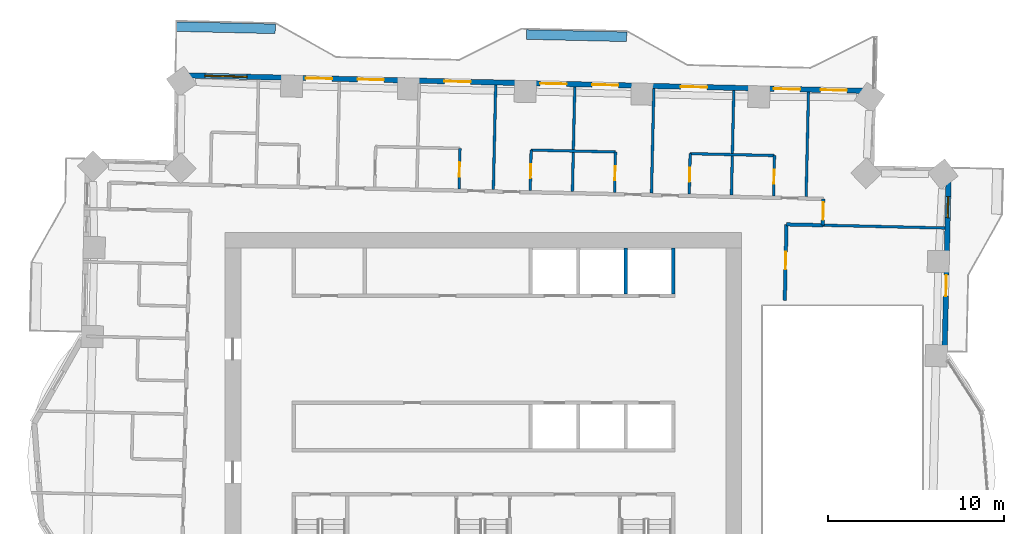
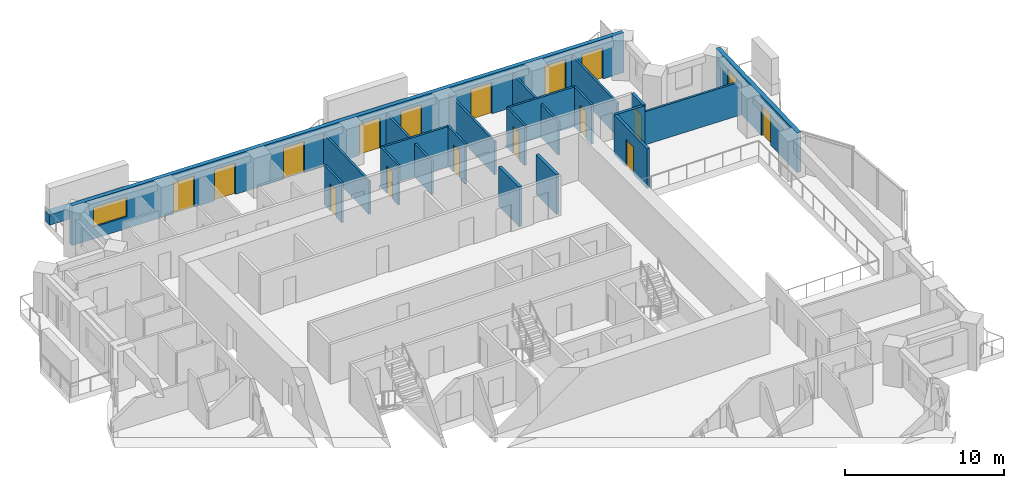
# One storey, part 9 of 14: 22 walls, 16 doors, 2 windows, 18 openings.
"""IFC4 building model written with IfcOpenShell, lengths in metres."""

from ifc_helpers import new_model, si_unit, direction, frame, frame_2d, origin, place, context, subcontext, project, spatial, rectangle, extrude, material, layer, layer_set, type_object, element, fill, save


model = new_model("IFC4")

# Units and contexts
model_context = context("Model", 3, precision=1e-05, world=origin(), true_north=direction((0.0, 1.0)))
body_context = subcontext(model_context, "Body", "Model", "MODEL_VIEW")
ifc_project = project(units=[si_unit("LENGTHUNIT", "METRE"), si_unit("AREAUNIT", "SQUARE_METRE"), si_unit("VOLUMEUNIT", "CUBIC_METRE"), si_unit("PLANEANGLEUNIT", "RADIAN"), si_unit("MASSUNIT", "GRAM", prefix="KILO")], contexts=[model_context])

# Site, building, storey
site_placement = place(None, origin())
site = spatial("IfcSite", under=ifc_project, at=site_placement, CompositionType="ELEMENT")
building_placement = place(site_placement, origin())
building = spatial("IfcBuilding", under=site, at=building_placement, Name="Mangrove Gate Tower", CompositionType="ELEMENT")
storey_placement = place(building_placement, frame((0.0, 0.0, 167.10009765625)))
storey = spatial("IfcBuildingStorey", under=building, at=storey_placement, Name="L42", CompositionType="ELEMENT", Elevation=167.10009765625)

# Walls
ifc_material_1 = material(Name="Concrete C60/75", Category="concrete")
ifc_layer_1 = layer(ifc_material_1, 0.199951171875)
ifc_layer_set_1 = layer_set([ifc_layer_1], Name="Core shaft wall 200 C60/75")
wall_type_1 = type_object("IfcWallType", Name="Core shaft wall 200 C60/75", PredefinedType="SHEAR", material=ifc_layer_set_1)
for number, where, z_axis, x_axis, name in (
    (1, (8.10009765625, 8.199951171875, 0.0), (0.0, 0.0, 1.0), (0.0, 1.0, 0.0), "WALL-L42-CORE-28"),
    (2, (10.800048828125, 8.199951171875, 0.0), (0.0, 0.0, 1.0), (0.0, 1.0, 0.0), "WALL-L42-CORE-29"),
):
    element("IfcWall", number, at=place(storey_placement, frame(where, z_axis=z_axis, x_axis=x_axis)), inside=storey, type_object=wall_type_1, Name=name, PredefinedType="SHEAR", context=body_context, shape_type="SweptSolid", body=[
        extrude(rectangle(XDim=2.60009765625, YDim=0.199951171875, at=frame_2d((1.300048828125, 0.0))), origin(), (0.0, 0.0, 1.0), 3.0498046875),
    ])

# Wall, opening, door
ifc_material_2 = material(Name="Gypsum board on steel stud, EI 60", Category="steel")
ifc_layer_2 = layer(ifc_material_2, 0.199951171875)
ifc_layer_set_2 = layer_set([ifc_layer_2], Name="Corridor wall EI 60")
wall_type_2 = type_object("IfcWallType", Name="Corridor wall EI 60", PredefinedType="PARTITIONING", material=ifc_layer_set_2)
wall_1_placement = place(storey_placement, frame((17.14892578125, 7.83203125, 0.0), z_axis=(0.0, 0.0, 1.0), x_axis=(0.022729111383, 0.999741660378, 0.0)))
wall_1 = element("IfcWall", 3, at=wall_1_placement, inside=storey, type_object=wall_type_2, Name="WALL-L42-049", PredefinedType="PARTITIONING", context=body_context, shape_type="SweptSolid", body=[
    extrude(rectangle(XDim=4.318115234375, YDim=0.199951171875, at=frame_2d((2.1591796875, 0.0))), origin(), (0.0, 0.0, 1.0), 3.0498046875),
])
opening_1_placement = place(wall_1_placement, frame((1.760986328125, 0.0, 0.0)))
opening_1 = element("IfcOpeningElement", 4, at=opening_1_placement, cuts=wall_1, Name="Opening AD", PredefinedType="OPENING", context=body_context, shape_type="SweptSolid", body=[
    extrude(rectangle(XDim=1.0, YDim=2.10009765625, at=frame_2d((0.5, 1.050048828125))), frame((0.0, 0.10986328125, 0.0), z_axis=(0.0, -1.0, 0.0), x_axis=(1.0, 0.0, 0.0)), (0.0, 0.0, 1.0), 0.219970703125),
])
ifc_material_3 = material(Name="Timber door leaf", Category="wood")
door_type_1 = type_object("IfcDoorType", Name="Amenity door 1000", OperationType="SINGLE_SWING_LEFT", PredefinedType="DOOR", material=ifc_material_3)
door_1_placement = place(opening_1_placement, origin())
door_1 = element("IfcDoor", 5, at=door_1_placement, inside=storey, type_object=door_type_1, Name="DOOR-L42-KIT-c3b", OperationType="SINGLE_SWING_LEFT", OverallHeight=2.10009765625, OverallWidth=1.0, PredefinedType="DOOR", context=body_context, shape_type="SweptSolid", body=[
    extrude(rectangle(XDim=1.0, YDim=2.10009765625, at=frame_2d((0.5, 1.050048828125))), frame((0.0, 0.02490234375, 0.0), z_axis=(0.0, -1.0, 0.0), x_axis=(1.0, 0.0, 0.0)), (0.0, 0.0, 1.0), 0.050048828125),
])
fill(opening_1, door_1)

# Wall
wall_2_placement = place(storey_placement, frame((17.248046875, 12.14892578125, 0.0), z_axis=(0.0, 0.0, 1.0), x_axis=(0.999742931749, -0.02267312106, 0.0)))
element("IfcWall", 6, at=wall_2_placement, inside=storey, type_object=wall_type_2, Name="WALL-L42-054", PredefinedType="PARTITIONING", context=body_context, shape_type="SweptSolid", body=[
    extrude(rectangle(XDim=2.0673828125, YDim=0.199951171875, at=frame_2d((1.03369140625, 0.0))), origin(), (0.0, 0.0, 1.0), 3.0498046875),
])

# Wall, opening, door
wall_3_placement = place(storey_placement, frame((19.31689453125, 12.10205078125, 0.0), z_axis=(0.0, 0.0, 1.0), x_axis=(0.02279537805, 0.999740151609, 0.0)))
wall_3 = element("IfcWall", 7, at=wall_3_placement, inside=storey, type_object=wall_type_2, Name="WALL-L42-056", PredefinedType="PARTITIONING", context=body_context, shape_type="SweptSolid", body=[
    extrude(rectangle(XDim=1.49951171875, YDim=0.199951171875, at=frame_2d((0.749755859375, 0.0))), origin(), (0.0, 0.0, 1.0), 3.0498046875),
])
opening_2_placement = place(wall_3_placement, frame((0.300048828125, 0.0, 0.0)))
opening_2 = element("IfcOpeningElement", 8, at=opening_2_placement, cuts=wall_3, Name="Opening AD", PredefinedType="OPENING", context=body_context, shape_type="SweptSolid", body=[
    extrude(rectangle(XDim=1.0, YDim=2.10009765625, at=frame_2d((0.5, 1.050048828125))), frame((0.0, 0.10986328125, 0.0), z_axis=(0.0, -1.0, 0.0), x_axis=(1.0, 0.0, 0.0)), (0.0, 0.0, 1.0), 0.219970703125),
])
door_2_placement = place(opening_2_placement, origin())
door_2 = element("IfcDoor", 9, at=door_2_placement, inside=storey, type_object=door_type_1, Name="DOOR-L42-KIT-c3c", OperationType="SINGLE_SWING_RIGHT", OverallHeight=2.10009765625, OverallWidth=1.0, PredefinedType="DOOR", context=body_context, shape_type="SweptSolid", body=[
    extrude(rectangle(XDim=1.0, YDim=2.10009765625, at=frame_2d((0.5, 1.050048828125))), frame((0.0, 0.02490234375, 0.0), z_axis=(0.0, -1.0, 0.0), x_axis=(1.0, 0.0, 0.0)), (0.0, 0.0, 1.0), 0.050048828125),
])
fill(opening_2, door_2)

# Wall, openings, door, window
ifc_material_4 = material(Name="Limestone", Category="masonry")
ifc_layer_3 = layer(ifc_material_4, 0.0400390625, Name="Limestone cladding")
ifc_material_5 = material(Name="Ventilated air gap")
ifc_layer_4 = layer(ifc_material_5, 0.0400390625, Name="Ventilated cavity")
ifc_material_6 = material(Name="Mineral wool insulation")
ifc_layer_5 = layer(ifc_material_6, 0.06005859375, Name="Insulation")
ifc_material_7 = material(Name="Breather membrane")
ifc_layer_6 = layer(ifc_material_7, 0.001953125, Name="Breather membrane")
ifc_material_8 = material(Name="Concrete C20/25 blockwork", Category="masonry")
ifc_layer_7 = layer(ifc_material_8, 0.14990234375, Name="Blockwork backing wall")
ifc_material_9 = material(Name="Gypsum plaster")
ifc_layer_8 = layer(ifc_material_9, 0.008056640625, Name="Internal plaster")
ifc_layer_set_3 = layer_set([ifc_layer_3, ifc_layer_4, ifc_layer_5, ifc_layer_6, ifc_layer_7, ifc_layer_8], Name="External wall 300 limestone cladding")
wall_type_3 = type_object("IfcWallType", Name="External wall 300 limestone cladding", PredefinedType="SOLIDWALL", material=ifc_layer_set_3)
wall_4_placement = place(storey_placement, frame((26.238037109375, 4.613037109375, 0.0), z_axis=(0.0, 0.0, 1.0), x_axis=(0.022761056451, 0.999740933597, 0.0)))
wall_4 = element("IfcWall", 10, at=wall_4_placement, inside=storey, type_object=wall_type_3, Name="WALL-L42-E2", PredefinedType="SOLIDWALL", context=body_context, shape_type="SweptSolid", body=[
    extrude(rectangle(XDim=10.629638671875, YDim=0.300048828125, at=frame_2d((5.31494140625, 0.0))), origin(), (0.0, 0.0, 1.0), 3.0498046875),
])
opening_3_placement = place(wall_4_placement, frame((3.452880859375, 0.0, 0.0)))
opening_3 = element("IfcOpeningElement", 11, at=opening_3_placement, cuts=wall_4, Name="Opening BD2", PredefinedType="OPENING", context=body_context, shape_type="SweptSolid", body=[
    extrude(rectangle(XDim=1.199951171875, YDim=2.39990234375, at=frame_2d((0.60009765625, 1.199951171875))), frame((0.0, 0.159912109375, 0.0), z_axis=(0.0, -1.0, 0.0), x_axis=(1.0, 0.0, 0.0)), (0.0, 0.0, 1.0), 0.320068359375),
])
opening_4_placement = place(wall_4_placement, frame((7.916015625, 0.0, 0.89990234375)))
opening_4 = element("IfcOpeningElement", 12, at=opening_4_placement, cuts=wall_4, Name="Opening W1", PredefinedType="OPENING", context=body_context, shape_type="SweptSolid", body=[
    extrude(rectangle(XDim=1.199951171875, YDim=1.5, at=frame_2d((0.60009765625, 0.75))), frame((0.0, 0.159912109375, 0.0), z_axis=(0.0, -1.0, 0.0), x_axis=(1.0, 0.0, 0.0)), (0.0, 0.0, 1.0), 0.320068359375),
])
ifc_material_10 = material(Name="Aluminium frame with laminated clear glass", Category="aluminium")
door_type_2 = type_object("IfcDoorType", Name="Balcony sliding door 1200x2400", OperationType="SLIDING_TO_LEFT", PredefinedType="DOOR", material=ifc_material_10)
door_3_placement = place(opening_3_placement, origin())
door_3 = element("IfcDoor", 13, at=door_3_placement, inside=storey, type_object=door_type_2, Name="DOOR-L42-E2-1", OperationType="SLIDING_TO_LEFT", OverallHeight=2.39990234375, OverallWidth=1.199951171875, PredefinedType="DOOR", context=body_context, shape_type="SweptSolid", body=[
    extrude(rectangle(XDim=1.199951171875, YDim=2.39990234375, at=frame_2d((0.60009765625, 1.199951171875))), frame((0.0, 0.02490234375, 0.0), z_axis=(0.0, -1.0, 0.0), x_axis=(1.0, 0.0, 0.0)), (0.0, 0.0, 1.0), 0.050048828125),
])
fill(opening_3, door_3)
ifc_material_11 = material(Name="Aluminium frame with double-glazed low-e glass", Category="aluminium")
window_type_1 = type_object("IfcWindowType", Name="Side lite 1200x1500", PartitioningType="SINGLE_PANEL", PredefinedType="WINDOW", material=ifc_material_11)
window_1_placement = place(opening_4_placement, origin())
window_1 = element("IfcWindow", 14, at=window_1_placement, inside=storey, type_object=window_type_1, Name="WIN-L42-E2-2", OverallHeight=1.5, OverallWidth=1.199951171875, PartitioningType="SINGLE_PANEL", PredefinedType="WINDOW", context=body_context, shape_type="SweptSolid", body=[
    extrude(rectangle(XDim=1.199951171875, YDim=1.5, at=frame_2d((0.60009765625, 0.75))), frame((0.0, 0.030029296875, 0.0), z_axis=(0.0, -1.0, 0.0), x_axis=(1.0, 0.0, 0.0)), (0.0, 0.0, 1.0), 0.06005859375),
])
fill(opening_4, window_1)

# Wall, openings, doors, window
wall_5_placement = place(storey_placement, frame((22.180908203125, 19.739013671875, 0.0), z_axis=(0.0, 0.0, 1.0), x_axis=(-0.999742618326, 0.022686936846, 0.0)))
wall_5 = element("IfcWall", 15, at=wall_5_placement, inside=storey, type_object=wall_type_3, Name="WALL-L42-N5", PredefinedType="SOLIDWALL", context=body_context, shape_type="SweptSolid", body=[
    extrude(rectangle(XDim=39.580078125, YDim=0.300048828125, at=frame_2d((19.7900390625, 0.0))), origin(), (0.0, 0.0, 1.0), 3.0498046875),
])
opening_5_placement = place(wall_5_placement, frame((1.4951171875, 0.0, 0.0)))
opening_5 = element("IfcOpeningElement", 16, at=opening_5_placement, cuts=wall_5, Name="Opening BD1", PredefinedType="OPENING", context=body_context, shape_type="SweptSolid", body=[
    extrude(rectangle(XDim=1.5, YDim=2.39990234375, at=frame_2d((0.75, 1.199951171875))), frame((0.0, 0.159912109375, 0.0), z_axis=(0.0, -1.0, 0.0), x_axis=(1.0, 0.0, 0.0)), (0.0, 0.0, 1.0), 0.320068359375),
])
opening_6_placement = place(wall_5_placement, frame((4.15087890625, 0.0, 0.0)))
opening_6 = element("IfcOpeningElement", 17, at=opening_6_placement, cuts=wall_5, Name="Opening BD1", PredefinedType="OPENING", context=body_context, shape_type="SweptSolid", body=[
    extrude(rectangle(XDim=1.5, YDim=2.39990234375, at=frame_2d((0.75, 1.199951171875))), frame((0.0, 0.159912109375, 0.0), z_axis=(0.0, -1.0, 0.0), x_axis=(1.0, 0.0, 0.0)), (0.0, 0.0, 1.0), 0.320068359375),
])
opening_7_placement = place(wall_5_placement, frame((9.455078125, 0.0, 0.0)))
opening_7 = element("IfcOpeningElement", 18, at=opening_7_placement, cuts=wall_5, Name="Opening BD1", PredefinedType="OPENING", context=body_context, shape_type="SweptSolid", body=[
    extrude(rectangle(XDim=1.5, YDim=2.39990234375, at=frame_2d((0.75, 1.199951171875))), frame((0.0, 0.159912109375, 0.0), z_axis=(0.0, -1.0, 0.0), x_axis=(1.0, 0.0, 0.0)), (0.0, 0.0, 1.0), 0.320068359375),
])
opening_8_placement = place(wall_5_placement, frame((14.4990234375, 0.0, 0.0)))
opening_8 = element("IfcOpeningElement", 19, at=opening_8_placement, cuts=wall_5, Name="Opening BD1", PredefinedType="OPENING", context=body_context, shape_type="SweptSolid", body=[
    extrude(rectangle(XDim=1.5, YDim=2.39990234375, at=frame_2d((0.75, 1.199951171875))), frame((0.0, 0.159912109375, 0.0), z_axis=(0.0, -1.0, 0.0), x_axis=(1.0, 0.0, 0.0)), (0.0, 0.0, 1.0), 0.320068359375),
])
opening_9_placement = place(wall_5_placement, frame((17.447998046875, 0.0, 0.0)))
opening_9 = element("IfcOpeningElement", 20, at=opening_9_placement, cuts=wall_5, Name="Opening BD1", PredefinedType="OPENING", context=body_context, shape_type="SweptSolid", body=[
    extrude(rectangle(XDim=1.5, YDim=2.39990234375, at=frame_2d((0.75, 1.199951171875))), frame((0.0, 0.159912109375, 0.0), z_axis=(0.0, -1.0, 0.0), x_axis=(1.0, 0.0, 0.0)), (0.0, 0.0, 1.0), 0.320068359375),
])
opening_10_placement = place(wall_5_placement, frame((22.905029296875, 0.0, 0.0)))
opening_10 = element("IfcOpeningElement", 21, at=opening_10_placement, cuts=wall_5, Name="Opening BD1", PredefinedType="OPENING", context=body_context, shape_type="SweptSolid", body=[
    extrude(rectangle(XDim=1.5, YDim=2.39990234375, at=frame_2d((0.75, 1.199951171875))), frame((0.0, 0.159912109375, 0.0), z_axis=(0.0, -1.0, 0.0), x_axis=(1.0, 0.0, 0.0)), (0.0, 0.0, 1.0), 0.320068359375),
])
opening_11_placement = place(wall_5_placement, frame((27.845947265625, 0.0, 0.0)))
opening_11 = element("IfcOpeningElement", 22, at=opening_11_placement, cuts=wall_5, Name="Opening BD1", PredefinedType="OPENING", context=body_context, shape_type="SweptSolid", body=[
    extrude(rectangle(XDim=1.5, YDim=2.39990234375, at=frame_2d((0.75, 1.199951171875))), frame((0.0, 0.159912109375, 0.0), z_axis=(0.0, -1.0, 0.0), x_axis=(1.0, 0.0, 0.0)), (0.0, 0.0, 1.0), 0.320068359375),
])
opening_12_placement = place(wall_5_placement, frame((30.7939453125, 0.0, 0.0)))
opening_12 = element("IfcOpeningElement", 23, at=opening_12_placement, cuts=wall_5, Name="Opening BD1", PredefinedType="OPENING", context=body_context, shape_type="SweptSolid", body=[
    extrude(rectangle(XDim=1.5, YDim=2.39990234375, at=frame_2d((0.75, 1.199951171875))), frame((0.0, 0.159912109375, 0.0), z_axis=(0.0, -1.0, 0.0), x_axis=(1.0, 0.0, 0.0)), (0.0, 0.0, 1.0), 0.320068359375),
])
opening_13_placement = place(wall_5_placement, frame((35.6298828125, 0.0, 0.89990234375)))
opening_13 = element("IfcOpeningElement", 24, at=opening_13_placement, cuts=wall_5, Name="Opening W2", PredefinedType="OPENING", context=body_context, shape_type="SweptSolid", body=[
    extrude(rectangle(XDim=2.39990234375, YDim=1.5, at=frame_2d((1.199951171875, 0.75))), frame((0.0, 0.159912109375, 0.0), z_axis=(0.0, -1.0, 0.0), x_axis=(1.0, 0.0, 0.0)), (0.0, 0.0, 1.0), 0.320068359375),
])
ifc_material_12 = material(Name="Aluminium frame with laminated clear glass", Category="aluminium")
door_type_3 = type_object("IfcDoorType", Name="Balcony sliding door 1500x2400", OperationType="SLIDING_TO_LEFT", PredefinedType="DOOR", material=ifc_material_12)
door_4_placement = place(opening_5_placement, origin())
door_4 = element("IfcDoor", 25, at=door_4_placement, inside=storey, type_object=door_type_3, Name="DOOR-L42-N5-1", OperationType="SLIDING_TO_LEFT", OverallHeight=2.39990234375, OverallWidth=1.5, PredefinedType="DOOR", context=body_context, shape_type="SweptSolid", body=[
    extrude(rectangle(XDim=1.5, YDim=2.39990234375, at=frame_2d((0.75, 1.199951171875))), frame((0.0, 0.02490234375, 0.0), z_axis=(0.0, -1.0, 0.0), x_axis=(1.0, 0.0, 0.0)), (0.0, 0.0, 1.0), 0.050048828125),
])
fill(opening_5, door_4)
door_5_placement = place(opening_6_placement, origin())
door_5 = element("IfcDoor", 26, at=door_5_placement, inside=storey, type_object=door_type_3, Name="DOOR-L42-N5-2", OperationType="SLIDING_TO_LEFT", OverallHeight=2.39990234375, OverallWidth=1.5, PredefinedType="DOOR", context=body_context, shape_type="SweptSolid", body=[
    extrude(rectangle(XDim=1.5, YDim=2.39990234375, at=frame_2d((0.75, 1.199951171875))), frame((0.0, 0.02490234375, 0.0), z_axis=(0.0, -1.0, 0.0), x_axis=(1.0, 0.0, 0.0)), (0.0, 0.0, 1.0), 0.050048828125),
])
fill(opening_6, door_5)
door_6_placement = place(opening_7_placement, origin())
door_6 = element("IfcDoor", 27, at=door_6_placement, inside=storey, type_object=door_type_3, Name="DOOR-L42-N5-3", OperationType="SLIDING_TO_LEFT", OverallHeight=2.39990234375, OverallWidth=1.5, PredefinedType="DOOR", context=body_context, shape_type="SweptSolid", body=[
    extrude(rectangle(XDim=1.5, YDim=2.39990234375, at=frame_2d((0.75, 1.199951171875))), frame((0.0, 0.02490234375, 0.0), z_axis=(0.0, -1.0, 0.0), x_axis=(1.0, 0.0, 0.0)), (0.0, 0.0, 1.0), 0.050048828125),
])
fill(opening_7, door_6)
door_7_placement = place(opening_8_placement, origin())
door_7 = element("IfcDoor", 28, at=door_7_placement, inside=storey, type_object=door_type_3, Name="DOOR-L42-N5-4", OperationType="SLIDING_TO_LEFT", OverallHeight=2.39990234375, OverallWidth=1.5, PredefinedType="DOOR", context=body_context, shape_type="SweptSolid", body=[
    extrude(rectangle(XDim=1.5, YDim=2.39990234375, at=frame_2d((0.75, 1.199951171875))), frame((0.0, 0.02490234375, 0.0), z_axis=(0.0, -1.0, 0.0), x_axis=(1.0, 0.0, 0.0)), (0.0, 0.0, 1.0), 0.050048828125),
])
fill(opening_8, door_7)
door_8_placement = place(opening_9_placement, origin())
door_8 = element("IfcDoor", 29, at=door_8_placement, inside=storey, type_object=door_type_3, Name="DOOR-L42-N5-5", OperationType="SLIDING_TO_LEFT", OverallHeight=2.39990234375, OverallWidth=1.5, PredefinedType="DOOR", context=body_context, shape_type="SweptSolid", body=[
    extrude(rectangle(XDim=1.5, YDim=2.39990234375, at=frame_2d((0.75, 1.199951171875))), frame((0.0, 0.02490234375, 0.0), z_axis=(0.0, -1.0, 0.0), x_axis=(1.0, 0.0, 0.0)), (0.0, 0.0, 1.0), 0.050048828125),
])
fill(opening_9, door_8)
door_9_placement = place(opening_10_placement, origin())
door_9 = element("IfcDoor", 30, at=door_9_placement, inside=storey, type_object=door_type_3, Name="DOOR-L42-N5-6", OperationType="SLIDING_TO_LEFT", OverallHeight=2.39990234375, OverallWidth=1.5, PredefinedType="DOOR", context=body_context, shape_type="SweptSolid", body=[
    extrude(rectangle(XDim=1.5, YDim=2.39990234375, at=frame_2d((0.75, 1.199951171875))), frame((0.0, 0.02490234375, 0.0), z_axis=(0.0, -1.0, 0.0), x_axis=(1.0, 0.0, 0.0)), (0.0, 0.0, 1.0), 0.050048828125),
])
fill(opening_10, door_9)
door_10_placement = place(opening_11_placement, origin())
door_10 = element("IfcDoor", 31, at=door_10_placement, inside=storey, type_object=door_type_3, Name="DOOR-L42-N5-7", OperationType="SLIDING_TO_LEFT", OverallHeight=2.39990234375, OverallWidth=1.5, PredefinedType="DOOR", context=body_context, shape_type="SweptSolid", body=[
    extrude(rectangle(XDim=1.5, YDim=2.39990234375, at=frame_2d((0.75, 1.199951171875))), frame((0.0, 0.02490234375, 0.0), z_axis=(0.0, -1.0, 0.0), x_axis=(1.0, 0.0, 0.0)), (0.0, 0.0, 1.0), 0.050048828125),
])
fill(opening_11, door_10)
door_11_placement = place(opening_12_placement, origin())
door_11 = element("IfcDoor", 32, at=door_11_placement, inside=storey, type_object=door_type_3, Name="DOOR-L42-N5-8", OperationType="SLIDING_TO_LEFT", OverallHeight=2.39990234375, OverallWidth=1.5, PredefinedType="DOOR", context=body_context, shape_type="SweptSolid", body=[
    extrude(rectangle(XDim=1.5, YDim=2.39990234375, at=frame_2d((0.75, 1.199951171875))), frame((0.0, 0.02490234375, 0.0), z_axis=(0.0, -1.0, 0.0), x_axis=(1.0, 0.0, 0.0)), (0.0, 0.0, 1.0), 0.050048828125),
])
fill(opening_12, door_11)
ifc_material_13 = material(Name="Aluminium frame with double-glazed low-e glass", Category="aluminium")
window_type_2 = type_object("IfcWindowType", Name="Corner room window 2400x1500", PartitioningType="DOUBLE_PANEL_VERTICAL", PredefinedType="WINDOW", material=ifc_material_13)
window_2_placement = place(opening_13_placement, origin())
window_2 = element("IfcWindow", 33, at=window_2_placement, inside=storey, type_object=window_type_2, Name="WIN-L42-N5-9", OverallHeight=1.5, OverallWidth=2.39990234375, PartitioningType="DOUBLE_PANEL_VERTICAL", PredefinedType="WINDOW", context=body_context, shape_type="SweptSolid", body=[
    extrude(rectangle(XDim=2.39990234375, YDim=1.5, at=frame_2d((1.199951171875, 0.75))), frame((0.0, 0.030029296875, 0.0), z_axis=(0.0, -1.0, 0.0), x_axis=(1.0, 0.0, 0.0)), (0.0, 0.0, 1.0), 0.06005859375),
])
fill(opening_13, window_2)

# Wall
ifc_material_14 = material(Name="Gypsum board on steel stud, EI 60", Category="steel")
ifc_layer_9 = layer(ifc_material_14, 0.14990234375)
ifc_layer_set_4 = layer_set([ifc_layer_9], Name="Party wall 150 EI 60")
wall_type_4 = type_object("IfcWallType", Name="Party wall 150 EI 60", PredefinedType="PARTITIONING", material=ifc_layer_set_4)
wall_6_placement = place(storey_placement, frame((19.31494140625, 12.10205078125, 0.0), z_axis=(0.0, 0.0, 1.0), x_axis=(0.999741072391, -0.022754959327, 0.0)))
element("IfcWall", 34, at=wall_6_placement, inside=storey, type_object=wall_type_4, Name="WALL-L42-055", PredefinedType="PARTITIONING", context=body_context, shape_type="SweptSolid", body=[
    extrude(rectangle(XDim=6.941650390625, YDim=0.14990234375, at=frame_2d((3.470703125, 0.0))), origin(), (0.0, 0.0, 1.0), 2.5498046875),
])

# Wall, opening, door
wall_7_placement = place(storey_placement, frame((-1.382080078125, 14.172119140625, 0.0), z_axis=(0.0, 0.0, 1.0), x_axis=(0.022615284993, 0.999744241736, 0.0)))
wall_7 = element("IfcWall", 35, at=wall_7_placement, inside=storey, type_object=wall_type_4, Name="WALL-L42-064", PredefinedType="PARTITIONING", context=body_context, shape_type="SweptSolid", body=[
    extrude(rectangle(XDim=2.29931640625, YDim=0.14990234375, at=frame_2d((1.149658203125, 0.0))), origin(), (0.0, 0.0, 1.0), 3.0498046875),
])
opening_14_placement = place(wall_7_placement, frame((0.699951171875, 0.0, 0.0)))
opening_14 = element("IfcOpeningElement", 36, at=opening_14_placement, cuts=wall_7, Name="Opening ED", PredefinedType="OPENING", context=body_context, shape_type="SweptSolid", body=[
    extrude(rectangle(XDim=0.800048828125, YDim=2.10009765625, at=frame_2d((0.39990234375, 1.050048828125))), frame((0.0, 0.0849609375, 0.0), z_axis=(0.0, -1.0, 0.0), x_axis=(1.0, 0.0, 0.0)), (0.0, 0.0, 1.0), 0.169921875),
])
ifc_material_15 = material(Name="Timber door leaf", Category="wood")
door_type_4 = type_object("IfcDoorType", Name="En-suite door 800", OperationType="SINGLE_SWING_LEFT", PredefinedType="DOOR", material=ifc_material_15)
door_12_placement = place(opening_14_placement, origin())
door_12 = element("IfcDoor", 37, at=door_12_placement, inside=storey, type_object=door_type_4, Name="DOOR-L42-ENS-c412", OperationType="SINGLE_SWING_RIGHT", OverallHeight=2.10009765625, OverallWidth=0.800048828125, PredefinedType="DOOR", context=body_context, shape_type="SweptSolid", body=[
    extrude(rectangle(XDim=0.800048828125, YDim=2.10009765625, at=frame_2d((0.39990234375, 1.050048828125))), frame((0.0, 0.02490234375, 0.0), z_axis=(0.0, -1.0, 0.0), x_axis=(1.0, 0.0, 0.0)), (0.0, 0.0, 1.0), 0.050048828125),
])
fill(opening_14, door_12)

# Wall
wall_8_placement = place(storey_placement, frame((0.568115234375, 14.126953125, 0.0), z_axis=(0.0, 0.0, 1.0), x_axis=(0.022647778364, 0.999743506173, 0.0)))
element("IfcWall", 38, at=wall_8_placement, inside=storey, type_object=wall_type_4, Name="WALL-L42-065", PredefinedType="PARTITIONING", context=body_context, shape_type="SweptSolid", body=[
    extrude(rectangle(XDim=5.950439453125, YDim=0.14990234375, at=frame_2d((2.97509765625, 0.0))), origin(), (0.0, 0.0, 1.0), 2.5498046875),
])

# Wall, opening, door
wall_9_placement = place(storey_placement, frame((2.6669921875, 14.080078125, 0.0), z_axis=(0.0, 0.0, 1.0), x_axis=(0.022615284993, 0.999744241736, 0.0)))
wall_9 = element("IfcWall", 39, at=wall_9_placement, inside=storey, type_object=wall_type_4, Name="WALL-L42-066", PredefinedType="PARTITIONING", context=body_context, shape_type="SweptSolid", body=[
    extrude(rectangle(XDim=2.29931640625, YDim=0.14990234375, at=frame_2d((1.149658203125, 0.0))), origin(), (0.0, 0.0, 1.0), 3.0498046875),
])
opening_15_placement = place(wall_9_placement, frame((0.699951171875, 0.0, 0.0)))
opening_15 = element("IfcOpeningElement", 40, at=opening_15_placement, cuts=wall_9, Name="Opening ED", PredefinedType="OPENING", context=body_context, shape_type="SweptSolid", body=[
    extrude(rectangle(XDim=0.800048828125, YDim=2.10009765625, at=frame_2d((0.39990234375, 1.050048828125))), frame((0.0, 0.0849609375, 0.0), z_axis=(0.0, -1.0, 0.0), x_axis=(1.0, 0.0, 0.0)), (0.0, 0.0, 1.0), 0.169921875),
])
door_13_placement = place(opening_15_placement, origin())
door_13 = element("IfcDoor", 41, at=door_13_placement, inside=storey, type_object=door_type_4, Name="DOOR-L42-ENS-c411", OperationType="SINGLE_SWING_LEFT", OverallHeight=2.10009765625, OverallWidth=0.800048828125, PredefinedType="DOOR", context=body_context, shape_type="SweptSolid", body=[
    extrude(rectangle(XDim=0.800048828125, YDim=2.10009765625, at=frame_2d((0.39990234375, 1.050048828125))), frame((0.0, 0.02490234375, 0.0), z_axis=(0.0, -1.0, 0.0), x_axis=(1.0, 0.0, 0.0)), (0.0, 0.0, 1.0), 0.050048828125),
])
fill(opening_15, door_13)

# Wall
wall_10_placement = place(storey_placement, frame((5.06689453125, 14.02490234375, 0.0), z_axis=(0.0, 0.0, 1.0), x_axis=(0.022687855237, 0.999742597484, 0.0)))
element("IfcWall", 42, at=wall_10_placement, inside=storey, type_object=wall_type_4, Name="WALL-L42-067", PredefinedType="PARTITIONING", context=body_context, shape_type="SweptSolid", body=[
    extrude(rectangle(XDim=5.95068359375, YDim=0.14990234375, at=frame_2d((2.975341796875, 0.0))), origin(), (0.0, 0.0, 1.0), 2.5498046875),
])

# Wall, opening, door
wall_11_placement = place(storey_placement, frame((7.466064453125, 13.970947265625, 0.0), z_axis=(0.0, 0.0, 1.0), x_axis=(0.022612884682, 0.999744296031, 0.0)))
wall_11 = element("IfcWall", 43, at=wall_11_placement, inside=storey, type_object=wall_type_4, Name="WALL-L42-068", PredefinedType="PARTITIONING", context=body_context, shape_type="SweptSolid", body=[
    extrude(rectangle(XDim=2.299560546875, YDim=0.14990234375, at=frame_2d((1.14990234375, 0.0))), origin(), (0.0, 0.0, 1.0), 3.0498046875),
])
opening_16_placement = place(wall_11_placement, frame((0.699951171875, 0.0, 0.0)))
opening_16 = element("IfcOpeningElement", 44, at=opening_16_placement, cuts=wall_11, Name="Opening ED", PredefinedType="OPENING", context=body_context, shape_type="SweptSolid", body=[
    extrude(rectangle(XDim=0.800048828125, YDim=2.10009765625, at=frame_2d((0.39990234375, 1.050048828125))), frame((0.0, 0.0849609375, 0.0), z_axis=(0.0, -1.0, 0.0), x_axis=(1.0, 0.0, 0.0)), (0.0, 0.0, 1.0), 0.169921875),
])
door_14_placement = place(opening_16_placement, origin())
door_14 = element("IfcDoor", 45, at=door_14_placement, inside=storey, type_object=door_type_4, Name="DOOR-L42-ENS-c410", OperationType="SINGLE_SWING_RIGHT", OverallHeight=2.10009765625, OverallWidth=0.800048828125, PredefinedType="DOOR", context=body_context, shape_type="SweptSolid", body=[
    extrude(rectangle(XDim=0.800048828125, YDim=2.10009765625, at=frame_2d((0.39990234375, 1.050048828125))), frame((0.0, 0.02490234375, 0.0), z_axis=(0.0, -1.0, 0.0), x_axis=(1.0, 0.0, 0.0)), (0.0, 0.0, 1.0), 0.050048828125),
])
fill(opening_16, door_14)

# Wall
wall_12_placement = place(storey_placement, frame((9.56494140625, 13.923095703125, 0.0), z_axis=(0.0, 0.0, 1.0), x_axis=(0.022688785847, 0.999742576365, 0.0)))
element("IfcWall", 46, at=wall_12_placement, inside=storey, type_object=wall_type_4, Name="WALL-L42-069", PredefinedType="PARTITIONING", context=body_context, shape_type="SweptSolid", body=[
    extrude(rectangle(XDim=5.950439453125, YDim=0.14990234375, at=frame_2d((2.97509765625, 0.0))), origin(), (0.0, 0.0, 1.0), 2.5498046875),
])

# Wall, opening, door
wall_13_placement = place(storey_placement, frame((11.715087890625, 13.875, 0.0), z_axis=(0.0, 0.0, 1.0), x_axis=(0.022612884682, 0.999744296031, 0.0)))
wall_13 = element("IfcWall", 47, at=wall_13_placement, inside=storey, type_object=wall_type_4, Name="WALL-L42-070", PredefinedType="PARTITIONING", context=body_context, shape_type="SweptSolid", body=[
    extrude(rectangle(XDim=2.299560546875, YDim=0.14990234375, at=frame_2d((1.14990234375, 0.0))), origin(), (0.0, 0.0, 1.0), 3.0498046875),
])
opening_17_placement = place(wall_13_placement, frame((0.699951171875, 0.0, 0.0)))
opening_17 = element("IfcOpeningElement", 48, at=opening_17_placement, cuts=wall_13, Name="Opening ED", PredefinedType="OPENING", context=body_context, shape_type="SweptSolid", body=[
    extrude(rectangle(XDim=0.800048828125, YDim=2.10009765625, at=frame_2d((0.39990234375, 1.050048828125))), frame((0.0, 0.0849609375, 0.0), z_axis=(0.0, -1.0, 0.0), x_axis=(1.0, 0.0, 0.0)), (0.0, 0.0, 1.0), 0.169921875),
])
door_15_placement = place(opening_17_placement, origin())
door_15 = element("IfcDoor", 49, at=door_15_placement, inside=storey, type_object=door_type_4, Name="DOOR-L42-ENS-c309", OperationType="SINGLE_SWING_LEFT", OverallHeight=2.10009765625, OverallWidth=0.800048828125, PredefinedType="DOOR", context=body_context, shape_type="SweptSolid", body=[
    extrude(rectangle(XDim=0.800048828125, YDim=2.10009765625, at=frame_2d((0.39990234375, 1.050048828125))), frame((0.0, 0.02490234375, 0.0), z_axis=(0.0, -1.0, 0.0), x_axis=(1.0, 0.0, 0.0)), (0.0, 0.0, 1.0), 0.050048828125),
])
fill(opening_17, door_15)

# Wall
wall_14_placement = place(storey_placement, frame((14.114013671875, 13.820068359375, 0.0), z_axis=(0.0, 0.0, 1.0), x_axis=(0.022688785847, 0.999742576365, 0.0)))
element("IfcWall", 50, at=wall_14_placement, inside=storey, type_object=wall_type_4, Name="WALL-L42-071", PredefinedType="PARTITIONING", context=body_context, shape_type="SweptSolid", body=[
    extrude(rectangle(XDim=5.950439453125, YDim=0.14990234375, at=frame_2d((2.97509765625, 0.0))), origin(), (0.0, 0.0, 1.0), 2.5498046875),
])

# Wall, opening, door
wall_15_placement = place(storey_placement, frame((16.513916015625, 13.76611328125, 0.0), z_axis=(0.0, 0.0, 1.0), x_axis=(0.022615284993, 0.999744241736, 0.0)))
wall_15 = element("IfcWall", 51, at=wall_15_placement, inside=storey, type_object=wall_type_4, Name="WALL-L42-072", PredefinedType="PARTITIONING", context=body_context, shape_type="SweptSolid", body=[
    extrude(rectangle(XDim=2.29931640625, YDim=0.14990234375, at=frame_2d((1.149658203125, 0.0))), origin(), (0.0, 0.0, 1.0), 3.0498046875),
])
opening_18_placement = place(wall_15_placement, frame((0.699951171875, 0.0, 0.0)))
opening_18 = element("IfcOpeningElement", 52, at=opening_18_placement, cuts=wall_15, Name="Opening ED", PredefinedType="OPENING", context=body_context, shape_type="SweptSolid", body=[
    extrude(rectangle(XDim=0.800048828125, YDim=2.10009765625, at=frame_2d((0.39990234375, 1.050048828125))), frame((0.0, 0.0849609375, 0.0), z_axis=(0.0, -1.0, 0.0), x_axis=(1.0, 0.0, 0.0)), (0.0, 0.0, 1.0), 0.169921875),
])
door_16_placement = place(opening_18_placement, origin())
door_16 = element("IfcDoor", 53, at=door_16_placement, inside=storey, type_object=door_type_4, Name="DOOR-L42-ENS-c308", OperationType="SINGLE_SWING_RIGHT", OverallHeight=2.10009765625, OverallWidth=0.800048828125, PredefinedType="DOOR", context=body_context, shape_type="SweptSolid", body=[
    extrude(rectangle(XDim=0.800048828125, YDim=2.10009765625, at=frame_2d((0.39990234375, 1.050048828125))), frame((0.0, 0.02490234375, 0.0), z_axis=(0.0, -1.0, 0.0), x_axis=(1.0, 0.0, 0.0)), (0.0, 0.0, 1.0), 0.050048828125),
])
fill(opening_18, door_16)

# Walls
wall_16_placement = place(storey_placement, frame((18.363037109375, 13.72412109375, 0.0), z_axis=(0.0, 0.0, 1.0), x_axis=(0.022688785847, 0.999742576365, 0.0)))
element("IfcWall", 54, at=wall_16_placement, inside=storey, type_object=wall_type_4, Name="WALL-L42-073", PredefinedType="PARTITIONING", context=body_context, shape_type="SweptSolid", body=[
    extrude(rectangle(XDim=5.950439453125, YDim=0.14990234375, at=frame_2d((2.97509765625, 0.0))), origin(), (0.0, 0.0, 1.0), 2.5498046875),
])
wall_17_placement = place(storey_placement, frame((2.718994140625, 16.37890625, 0.0), z_axis=(0.0, 0.0, 1.0), x_axis=(0.999742701292, -0.022683280499, 0.0)))
element("IfcWall", 55, at=wall_17_placement, inside=storey, type_object=wall_type_4, Name="WALL-L42-076", PredefinedType="PARTITIONING", context=body_context, shape_type="SweptSolid", body=[
    extrude(rectangle(XDim=4.80029296875, YDim=0.14990234375, at=frame_2d((2.400146484375, 0.0))), origin(), (0.0, 0.0, 1.0), 3.0498046875),
])
wall_18_placement = place(storey_placement, frame((11.76708984375, 16.174072265625, 0.0), z_axis=(0.0, 0.0, 1.0), x_axis=(0.999741520352, -0.022735269617, 0.0)))
element("IfcWall", 56, at=wall_18_placement, inside=storey, type_object=wall_type_4, Name="WALL-L42-077", PredefinedType="PARTITIONING", context=body_context, shape_type="SweptSolid", body=[
    extrude(rectangle(XDim=4.800048828125, YDim=0.14990234375, at=frame_2d((2.39990234375, 0.0))), origin(), (0.0, 0.0, 1.0), 3.0498046875),
])
ifc_material_16 = material(Name="Concrete C32/40", Category="concrete")
ifc_layer_10 = layer(ifc_material_16, 0.199951171875, Name="Planter trough wall")
ifc_material_17 = material(Name="Bituminous waterproofing membrane")
ifc_layer_11 = layer(ifc_material_17, 0.0048828125, Name="Waterproofing")
ifc_material_18 = material(Name="Drainage board and gravel")
ifc_layer_12 = layer(ifc_material_18, 0.044921875, Name="Drainage layer")
ifc_material_19 = material(Name="Planting soil")
ifc_layer_13 = layer(ifc_material_19, 0.300048828125, Name="Growing medium")
ifc_layer_set_5 = layer_set([ifc_layer_10, ifc_layer_11, ifc_layer_12, ifc_layer_13], Name="Planter wall 550 C32/40")
wall_type_5 = type_object("IfcWallType", Name="Planter wall 550 C32/40", PredefinedType="USERDEFINED", material=ifc_layer_set_5)
wall_19_placement = place(storey_placement, frame((2.458984375, 22.951904296875, 0.0), z_axis=(0.0, 0.0, 1.0), x_axis=(0.999744196375, -0.022617290187, 0.0)))
element("IfcWall", 57, at=wall_19_placement, inside=storey, type_object=wall_type_5, Name="PLANTER L42 N0.1", ObjectType="PLANTER", PredefinedType="USERDEFINED", context=body_context, shape_type="SweptSolid", body=[
    extrude(rectangle(XDim=5.699462890625, YDim=0.550048828125, at=frame_2d((2.849609375, 0.0))), origin(), (0.0, 0.0, 1.0), 0.7998046875),
])
wall_20_placement = place(storey_placement, frame((-17.47607421875, 23.404052734375, 0.0), z_axis=(0.0, 0.0, 1.0), x_axis=(0.999741701433, -0.022727305502, 0.0)))
element("IfcWall", 58, at=wall_20_placement, inside=storey, type_object=wall_type_5, Name="PLANTER L42 N1.1", ObjectType="PLANTER", PredefinedType="USERDEFINED", context=body_context, shape_type="SweptSolid", body=[
    extrude(rectangle(XDim=5.6396484375, YDim=0.550048828125, at=frame_2d((2.81982421875, 0.0))), origin(), (0.0, 0.0, 1.0), 0.7998046875),
])

save(model, "model.ifc")
